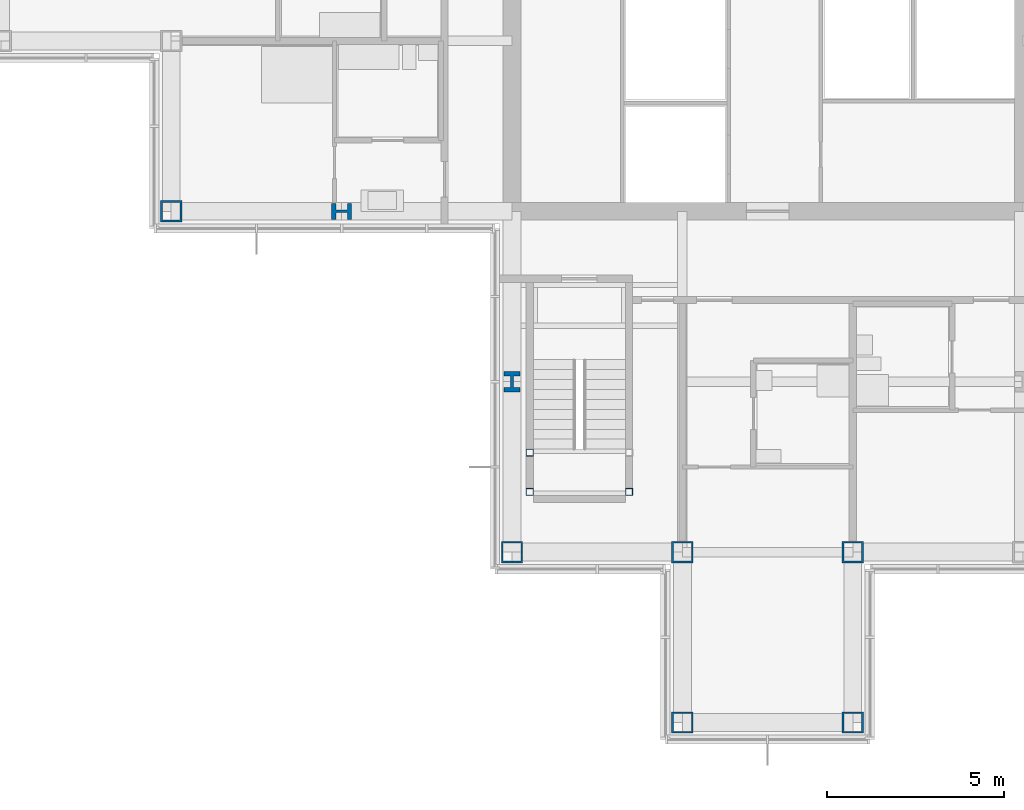
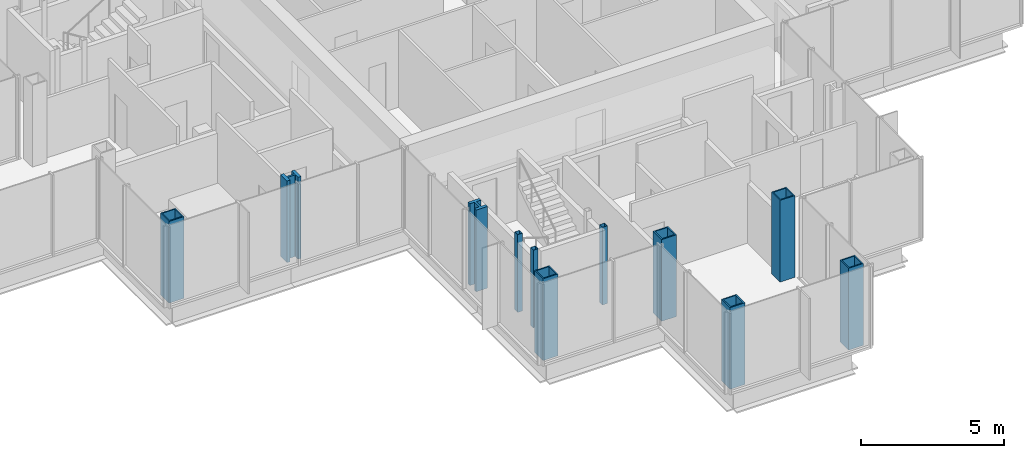
# One storey, part 1 of 15: 11 columns.
"""IFC4 building model written with IfcOpenShell, lengths in metres."""

from ifc_helpers import new_model, si_unit, direction, frame, origin, origin_2d, place, context, subcontext, project, spatial, hollow_rectangle, i_section, extrude, material, material_profile, profile_set, type_object, element, save


model = new_model("IFC4")

# Units and contexts
model_context = context("Model", 3, precision=1e-05, world=origin(), true_north=direction((0.0, 1.0)))
body_context = subcontext(model_context, "Body", "Model", "MODEL_VIEW")
ifc_project = project(units=[si_unit("LENGTHUNIT", "METRE"), si_unit("AREAUNIT", "SQUARE_METRE"), si_unit("VOLUMEUNIT", "CUBIC_METRE"), si_unit("PLANEANGLEUNIT", "RADIAN"), si_unit("MASSUNIT", "GRAM", prefix="KILO")], contexts=[model_context])

# Site, building, storey
site_placement = place(None, origin())
site = spatial("IfcSite", under=ifc_project, at=site_placement, CompositionType="ELEMENT")
building_placement = place(site_placement, origin())
building = spatial("IfcBuilding", under=site, at=building_placement, Name="Kvirike Care Tower", CompositionType="ELEMENT")
storey_placement = place(building_placement, frame((0.0, 0.0, 208.5)))
storey = spatial("IfcBuildingStorey", under=building, at=storey_placement, Name="L57", CompositionType="ELEMENT", Elevation=208.5)

# Columns
ifc_material_1 = material(Name="Steel S460", Category="steel")
ifc_material_profile_1 = material_profile(ifc_material_1, hollow_rectangle(XDim=0.60009765625, YDim=0.60009765625, WallThickness=0.050048828125, at=origin_2d()), Name="BX 600x600x50")
ifc_profile_set_1 = profile_set([ifc_material_profile_1], Name="Steel S460")
column_type_1 = type_object("IfcColumnType", Name="COLUMN BX 600x600x50", PredefinedType="COLUMN", material=ifc_profile_set_1)
for number, where, z_axis, x_axis, name in (
    (1, (4.800048828125, 28.800048828125, 0.0), (0.0, 0.0, 1.0), (0.0, 1.0, 0.0), "Column G4 L57"),
    (2, (14.39990234375, 19.199951171875, 0.0), (0.0, 0.0, 1.0), (0.0, 1.0, 0.0), "Column E6 L57"),
    (3, (19.199951171875, 14.39990234375, 0.0), (0.0, 0.0, 1.0), (0.0, 1.0, 0.0), "Column D7 L57"),
    (4, (19.199951171875, 19.199951171875, 0.0), (0.0, 0.0, 1.0), (0.0, 1.0, 0.0), "Column E7 L57"),
    (5, (24.0, 14.39990234375, 0.0), (0.0, 0.0, 1.0), (0.0, 1.0, 0.0), "Column D8 L57"),
    (6, (24.0, 19.199951171875, 0.0), (0.0, 0.0, 1.0), (0.0, 1.0, 0.0), "Column E8 L57"),
):
    element("IfcColumn", number, at=place(storey_placement, frame(where, z_axis=z_axis, x_axis=x_axis)), inside=storey, type_object=column_type_1, Name=name, PredefinedType="COLUMN", context=body_context, shape_type="SweptSolid", body=[
        extrude(hollow_rectangle(XDim=0.60009765625, YDim=0.60009765625, WallThickness=0.050048828125, at=origin_2d()), origin(), (0.0, 0.0, 1.0), 3.5),
    ])
ifc_material_2 = material(Name="Steel S460", Category="steel")
ifc_material_profile_2 = material_profile(ifc_material_2, i_section(OverallWidth=0.4541015625, OverallDepth=0.569091796875, WebThickness=0.077880859375, FlangeThickness=0.125, FilletRadius=0.014892578125, at=origin_2d()), Name="HD 400x1086")
ifc_profile_set_2 = profile_set([ifc_material_profile_2], Name="Steel S460")
column_type_2 = type_object("IfcColumnType", Name="COLUMN HD 400x1086", PredefinedType="COLUMN", material=ifc_profile_set_2)
for number, where, z_axis, x_axis, name in (
    (7, (9.60009765625, 28.800048828125, 0.0), (0.0, 0.0, 1.0), (0.0, 1.0, 0.0), "Column G5 L57"),
    (8, (14.39990234375, 24.0, 0.0), (0.0, 0.0, 1.0), (1.0, 0.0, 0.0), "Column F6 L57"),
):
    element("IfcColumn", number, at=place(storey_placement, frame(where, z_axis=z_axis, x_axis=x_axis)), inside=storey, type_object=column_type_2, Name=name, PredefinedType="COLUMN", context=body_context, shape_type="SweptSolid", body=[
        extrude(i_section(OverallWidth=0.4541015625, OverallDepth=0.569091796875, WebThickness=0.077880859375, FlangeThickness=0.125, FilletRadius=0.014892578125, at=origin_2d()), origin(), (0.0, 0.0, 1.0), 3.5),
    ])
ifc_material_3 = material(Name="Steel S460", Category="steel")
ifc_material_profile_3 = material_profile(ifc_material_3, hollow_rectangle(XDim=0.199951171875, YDim=0.199951171875, WallThickness=0.008056640625, at=origin_2d()), Name="SHS 200x200x8")
ifc_profile_set_3 = profile_set([ifc_material_profile_3], Name="Steel S460")
column_type_3 = type_object("IfcColumnType", Name="STAIR POST SHS 200x200x8", PredefinedType="COLUMN", material=ifc_profile_set_3)
for number, where, z_axis, x_axis, name in (
    (9, (14.89990234375, 20.89990234375, 0.0), (0.0, 0.0, 1.0), (1.0, 0.0, 0.0), "Stair 5 post 1 L57"),
    (10, (17.699951171875, 20.89990234375, 0.0), (0.0, 0.0, 1.0), (1.0, 0.0, 0.0), "Stair 5 post 2 L57"),
    (11, (14.89990234375, 22.0, 0.0), (0.0, 0.0, 1.0), (1.0, 0.0, 0.0), "Stair 5 post 3 L57"),
):
    element("IfcColumn", number, at=place(storey_placement, frame(where, z_axis=z_axis, x_axis=x_axis)), inside=storey, type_object=column_type_3, Name=name, PredefinedType="COLUMN", context=body_context, shape_type="SweptSolid", body=[
        extrude(hollow_rectangle(XDim=0.199951171875, YDim=0.199951171875, WallThickness=0.008056640625, at=origin_2d()), origin(), (0.0, 0.0, 1.0), 3.330078125),
    ])

save(model, "model.ifc")
